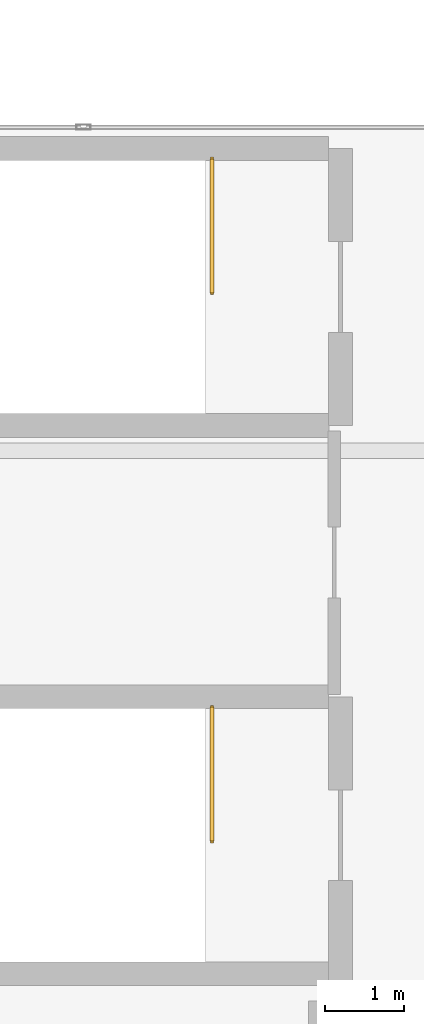
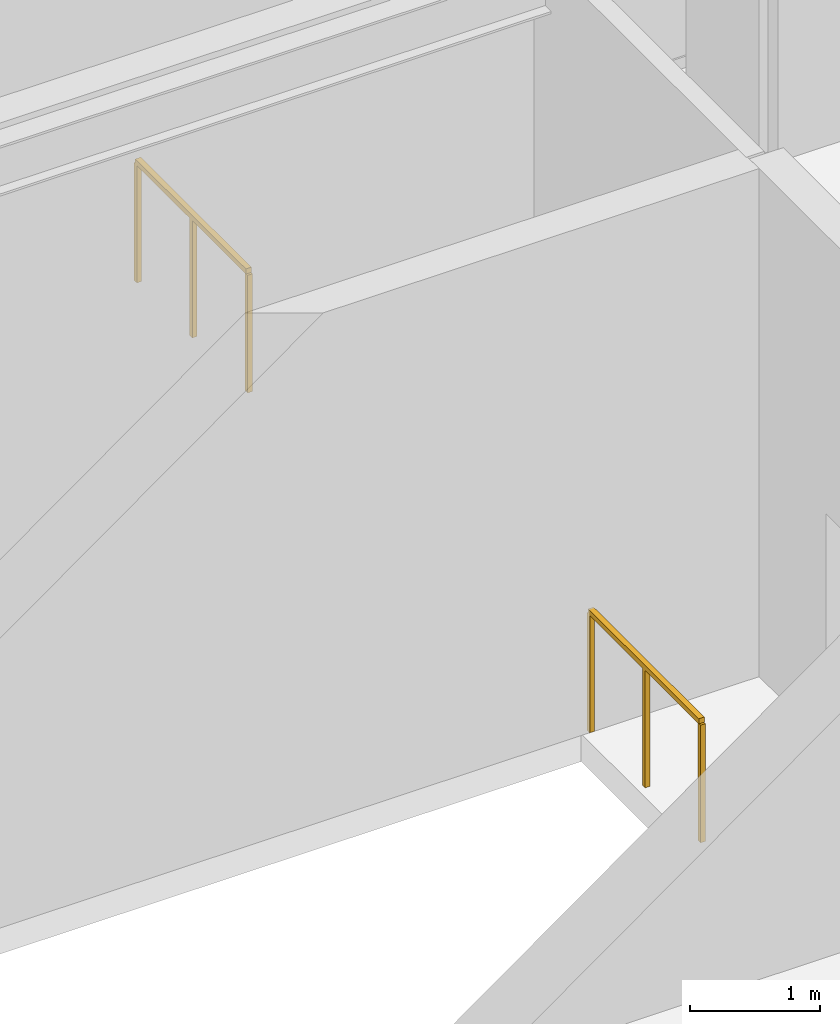
# One storey, part 12 of 12: 2 railings.
"""IFC4 building model written with IfcOpenShell, lengths in metres."""

import ifcopenshell
import ifcopenshell.guid

model = None  # the IFC model being written
_history = None  # IfcOwnerHistory: only IFC2X3 demands one
_inside = {}  # id of a spatial element -> (the spatial element, [elements in it])
_under = {}  # id of a project, library or spatial element -> (it, [spatial elements below it])
_declared = {}  # id of a project -> (the project, [libraries it declares])
_typed = {}  # id of a type object -> (the type object, [elements of that type])
_made_of = {}  # id of a material, layer set ... -> (it, [elements and type objects made of it])


def new_model(schema):
    """Start an empty IFC model of exactly this schema.

    Asked for "IFC4X3", IfcOpenShell would pick the latest addendum, in which some entities
    have other attributes; the version numbers below select the first issue.
    IFC2X3 requires an IfcOwnerHistory on every rooted entity: one is made here for all.
    """
    global model, _history
    if schema == "IFC4X3":
        model = ifcopenshell.file(schema_version=(4, 3, 0, 0))
    else:
        model = ifcopenshell.file(schema=schema)
    _inside.clear()
    _under.clear()
    _declared.clear()
    _typed.clear()
    _made_of.clear()
    _history = None
    if model.schema == "IFC2X3":
        org = make("IfcOrganization", Name="unknown")
        user = make(
            "IfcPersonAndOrganization",
            ThePerson=make("IfcPerson", FamilyName="unknown"),
            TheOrganization=org,
        )
        app = make(
            "IfcApplication",
            ApplicationDeveloper=org,
            Version="unknown",
            ApplicationFullName="unknown",
            ApplicationIdentifier="unknown",
        )
        _history = make(
            "IfcOwnerHistory",
            OwningUser=user,
            OwningApplication=app,
            ChangeAction="ADDED",
            CreationDate=0,
        )
    return model


def make(cls, **values):
    """One entity of the class cls with the attributes given. An attribute that is None is left unset."""
    return model.create_entity(
        cls, **{name: value for name, value in values.items() if value is not None}
    )


def rooted(cls, **values):
    """An entity with a GlobalId (a new one), such as an element, a storey or a relation."""
    return make(cls, GlobalId=ifcopenshell.guid.new(), OwnerHistory=_history, **values)


def si_unit(unit_type, name, prefix=None):
    """IfcSIUnit, for example si_unit("LENGTHUNIT", "METRE", prefix="MILLI")."""
    return make("IfcSIUnit", UnitType=unit_type, Prefix=prefix, Name=name)


def assignment(units):
    """IfcUnitAssignment: the units of a project."""
    return None if units is None else make("IfcUnitAssignment", Units=units)


def point(xyz):
    """IfcCartesianPoint."""
    return None if xyz is None else make("IfcCartesianPoint", Coordinates=xyz)


def direction(xyz):
    """IfcDirection."""
    return None if xyz is None else make("IfcDirection", DirectionRatios=xyz)


def frame(location, z_axis=None, x_axis=None):
    """IfcAxis2Placement3D, a coordinate frame: its origin and axes. An axis left out is left unset."""
    return make(
        "IfcAxis2Placement3D",
        Location=point(location),
        Axis=direction(z_axis),
        RefDirection=direction(x_axis),
    )


def frame_2d(location, x_axis=None):
    """IfcAxis2Placement2D, a coordinate frame in the plane: its origin and x axis."""
    return make(
        "IfcAxis2Placement2D", Location=point(location), RefDirection=direction(x_axis)
    )


def origin():
    """The frame at (0, 0, 0) with its axes left unset."""
    return frame((0.0, 0.0, 0.0))


def origin_2d():
    """The frame at (0, 0) in the plane with its x axis left unset."""
    return frame_2d((0.0, 0.0))


def place(relative_to, where):
    """IfcLocalPlacement: puts the frame where relative to a parent placement (None: the world)."""
    return make(
        "IfcLocalPlacement", PlacementRelTo=relative_to, RelativePlacement=where
    )


def context(
    kind, dimensions, precision=None, world=None, true_north=None, identifier=None
):
    """IfcGeometricRepresentationContext, for example the 3D "Model" context."""
    return make(
        "IfcGeometricRepresentationContext",
        ContextIdentifier=identifier,
        ContextType=kind,
        CoordinateSpaceDimension=dimensions,
        Precision=precision,
        WorldCoordinateSystem=world,
        TrueNorth=true_north,
    )


def subcontext(parent, identifier, kind, view, scale=None):
    """IfcGeometricRepresentationSubContext, for example "Body" below "Model"."""
    return make(
        "IfcGeometricRepresentationSubContext",
        ContextIdentifier=identifier,
        ContextType=kind,
        ParentContext=parent,
        TargetScale=scale,
        TargetView=view,
    )


def project(units=None, contexts=None):
    """IfcProject with its units and contexts."""
    return rooted(
        "IfcProject",
        Name="project",
        RepresentationContexts=contexts,
        UnitsInContext=assignment(units),
    )


def spatial(cls, under=None, at=None, **own):
    """A site, building, storey or space (cls), placed at a placement, below another one or the project."""
    s = rooted(cls, ObjectPlacement=at, **own)
    if under is not None:
        _under.setdefault(under.id(), (under, []))[1].append(s)
    return s


def profile(cls, at=None, kind="AREA", **sizes):
    """A parametric profile (cls). Its sizes go by their IFC names, for example OverallWidth=200.0."""
    return make(cls, ProfileType=kind, Position=at, **sizes)


def rectangle(**sizes):
    """IfcRectangleProfileDef."""
    return profile("IfcRectangleProfileDef", **sizes)


def extrude(swept, where, along, depth):
    """IfcExtrudedAreaSolid: the profile swept, set in the frame where, extruded along a direction by depth."""
    return make(
        "IfcExtrudedAreaSolid",
        SweptArea=swept,
        Position=where,
        ExtrudedDirection=direction(along),
        Depth=depth,
    )


def shape(context_of_items, identifier, shape_type, items):
    """IfcShapeRepresentation: the items that make up one representation, for example the "Body"."""
    return make(
        "IfcShapeRepresentation",
        ContextOfItems=context_of_items,
        RepresentationIdentifier=identifier,
        RepresentationType=shape_type,
        Items=items,
    )


def material(Name=None, Category=None):
    """IfcMaterial."""
    return make("IfcMaterial", Name=Name, Category=Category)


def made_of(thing, what):
    """Note that an element or type object is made of a material, layer set ...; save() writes the relation."""
    if what is not None:
        _made_of.setdefault(what.id(), (what, []))[1].append(thing)
    return thing


def type_object(cls, material=None, **own):
    """A type object (cls), such as IfcWallType, which elements share."""
    return made_of(rooted(cls, **own), material)


def element(
    cls,
    number,
    at=None,
    inside=None,
    cuts=None,
    type_object=None,
    material=None,
    context=None,
    identifier="Body",
    shape_type=None,
    held_by="IfcProductDefinitionShape",
    body=None,
    shapes=None,
    **own,
):
    """One element of the class cls, such as IfcWall. Its Tag is "e" and its number.

    at: its placement. inside: the storey or other place that contains it. cuts: it is an
    opening in that element (IfcRelVoidsElement). A single representation is given by context,
    identifier, shape_type and body (its items); several are given by shapes. held_by: the class
    of the entity that holds the representations. save() writes the other relations.
    """
    e = rooted(cls, Tag="e%d" % number, ObjectPlacement=at, **own)
    if body is not None:
        shapes = [shape(context, identifier, shape_type, body)]
    if shapes is not None:
        e.Representation = make(held_by, Representations=shapes)
    if inside is not None:
        _inside.setdefault(inside.id(), (inside, []))[1].append(e)
    if cuts is not None:
        rooted(
            "IfcRelVoidsElement", RelatingBuildingElement=cuts, RelatedOpeningElement=e
        )
    if type_object is not None:
        _typed.setdefault(type_object.id(), (type_object, []))[1].append(e)
    return made_of(e, material)


def aggregate(whole, parts):
    """IfcRelAggregates: a whole, such as a stair, and the parts it consists of."""
    return rooted("IfcRelAggregates", RelatingObject=whole, RelatedObjects=parts)


def save(model, path):
    """Write the relations noted so far, then the file.

    IfcRelAggregates (storeys below a building ...), IfcRelContainedInSpatialStructure (elements
    in a storey), IfcRelDefinesByType, IfcRelAssociatesMaterial and IfcRelDeclares: one each for
    every whole, place, type object, material and project.
    """
    for whole, parts in _under.values():
        aggregate(whole, parts)
    for where, things in _inside.values():
        rooted(
            "IfcRelContainedInSpatialStructure",
            RelatedElements=things,
            RelatingStructure=where,
        )
    for kind, things in _typed.values():
        rooted("IfcRelDefinesByType", RelatedObjects=things, RelatingType=kind)
    for what, things in _made_of.values():
        rooted("IfcRelAssociatesMaterial", RelatedObjects=things, RelatingMaterial=what)
    for by, libraries in _declared.values():
        rooted("IfcRelDeclares", RelatingContext=by, RelatedDefinitions=libraries)
    model.write(path)


model = new_model("IFC4")

# Units and contexts
model_context = context("Model", 3, precision=1e-05, world=origin(), true_north=direction((0.0, 1.0)))
body_context = subcontext(model_context, "Body", "Model", "MODEL_VIEW")
ifc_project = project(units=[si_unit("LENGTHUNIT", "METRE"), si_unit("AREAUNIT", "SQUARE_METRE"), si_unit("VOLUMEUNIT", "CUBIC_METRE"), si_unit("PLANEANGLEUNIT", "RADIAN"), si_unit("MASSUNIT", "GRAM", prefix="KILO")], contexts=[model_context])

# Site, building, storey
site_placement = place(None, origin())
site = spatial("IfcSite", under=ifc_project, at=site_placement, CompositionType="ELEMENT")
building_placement = place(site_placement, origin())
building = spatial("IfcBuilding", under=site, at=building_placement, Name="Mawjaban Terraces University", CompositionType="ELEMENT")
storey_placement = place(building_placement, frame((0.0, 0.0, 321.699951171875)))
storey = spatial("IfcBuildingStorey", under=building, at=storey_placement, Name="L78", CompositionType="ELEMENT", Elevation=321.699951171875)

# Railings
ifc_material = material(Name="Galvanised painted steel S355", Category="steel")
railing_type = type_object("IfcRailingType", Name="StairWellGuard_1150", PredefinedType="BALUSTRADE", material=ifc_material)
for number, where, name in (
    (1, (30.10009765625, 4.699951171875, 0.0), "L78 ST-1 top well guard 1"),
    (2, (30.10009765625, 11.64990234375, 0.0), "L78 ST-3 top well guard 1"),
):
    element("IfcRailing", number, at=place(storey_placement, frame(where)), inside=storey, type_object=railing_type, Name=name, PredefinedType="BALUSTRADE", context=body_context, shape_type="SweptSolid", body=[
        extrude(rectangle(XDim=0.048095703125, YDim=0.048095703125, at=origin_2d()), frame((0.0, 0.0, 1.1259765625), z_axis=(0.0, -1.0, 0.0), x_axis=(1.0, 0.0, 0.0)), (0.0, 0.0, 1.0), 1.699951171875),
        extrude(rectangle(XDim=0.0419921875, YDim=0.0419921875, at=origin_2d()), origin(), (0.0, 0.0, 1.0), 1.101806640625),
        extrude(rectangle(XDim=0.0419921875, YDim=0.0419921875, at=origin_2d()), frame((0.0, -0.85009765625, 0.0)), (0.0, 0.0, 1.0), 1.101806640625),
        extrude(rectangle(XDim=0.0419921875, YDim=0.0419921875, at=origin_2d()), frame((0.0, -1.699951171875, 0.0)), (0.0, 0.0, 1.0), 1.101806640625),
    ])

save(model, "model.ifc")
